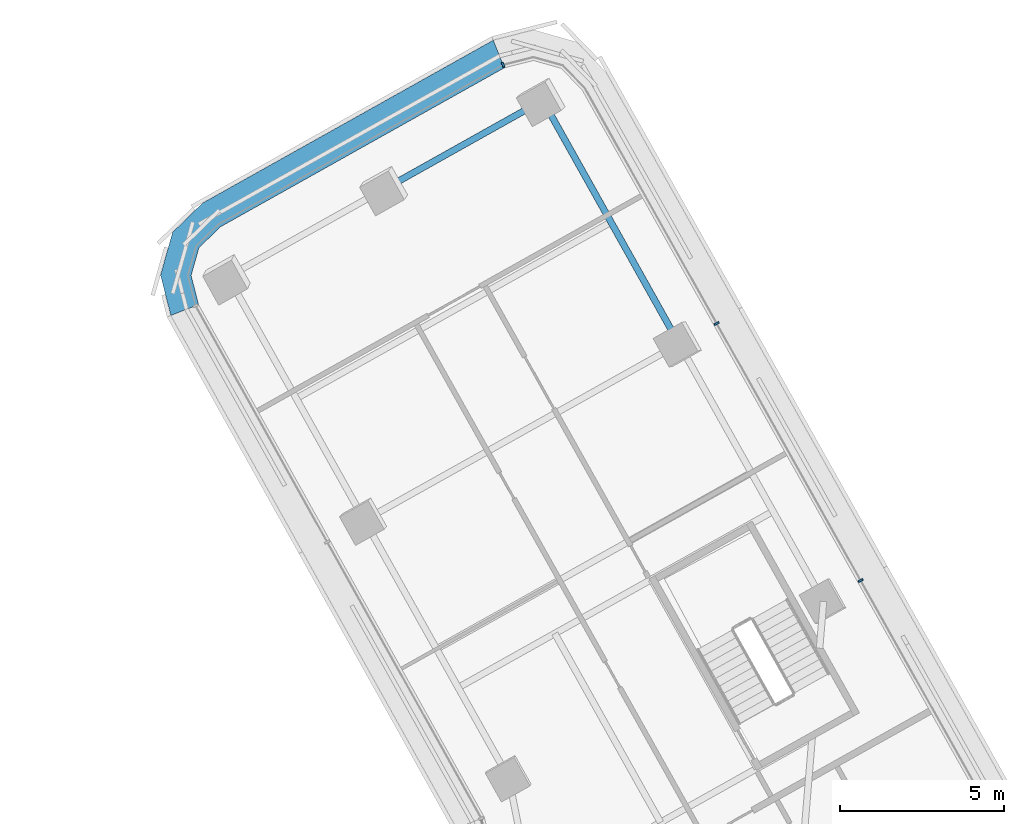
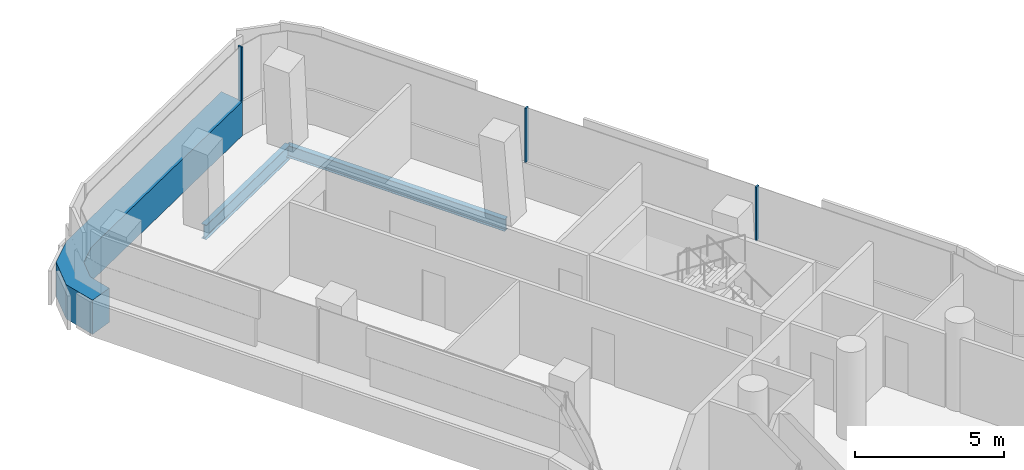
# One storey, part 17 of 34: 4 members, 2 beams, 2 elements without a shape of their own.
"""IFC4 building model written with IfcOpenShell, lengths in metres."""

import ifcopenshell
import ifcopenshell.guid

model = None  # the IFC model being written
_history = None  # IfcOwnerHistory: only IFC2X3 demands one
_inside = {}  # id of a spatial element -> (the spatial element, [elements in it])
_under = {}  # id of a project, library or spatial element -> (it, [spatial elements below it])
_declared = {}  # id of a project -> (the project, [libraries it declares])
_typed = {}  # id of a type object -> (the type object, [elements of that type])
_made_of = {}  # id of a material, layer set ... -> (it, [elements and type objects made of it])


def new_model(schema):
    """Start an empty IFC model of exactly this schema.

    Asked for "IFC4X3", IfcOpenShell would pick the latest addendum, in which some entities
    have other attributes; the version numbers below select the first issue.
    IFC2X3 requires an IfcOwnerHistory on every rooted entity: one is made here for all.
    """
    global model, _history
    if schema == "IFC4X3":
        model = ifcopenshell.file(schema_version=(4, 3, 0, 0))
    else:
        model = ifcopenshell.file(schema=schema)
    _inside.clear()
    _under.clear()
    _declared.clear()
    _typed.clear()
    _made_of.clear()
    _history = None
    if model.schema == "IFC2X3":
        org = make("IfcOrganization", Name="unknown")
        user = make(
            "IfcPersonAndOrganization",
            ThePerson=make("IfcPerson", FamilyName="unknown"),
            TheOrganization=org,
        )
        app = make(
            "IfcApplication",
            ApplicationDeveloper=org,
            Version="unknown",
            ApplicationFullName="unknown",
            ApplicationIdentifier="unknown",
        )
        _history = make(
            "IfcOwnerHistory",
            OwningUser=user,
            OwningApplication=app,
            ChangeAction="ADDED",
            CreationDate=0,
        )
    return model


def make(cls, **values):
    """One entity of the class cls with the attributes given. An attribute that is None is left unset."""
    return model.create_entity(
        cls, **{name: value for name, value in values.items() if value is not None}
    )


def rooted(cls, **values):
    """An entity with a GlobalId (a new one), such as an element, a storey or a relation."""
    return make(cls, GlobalId=ifcopenshell.guid.new(), OwnerHistory=_history, **values)


def si_unit(unit_type, name, prefix=None):
    """IfcSIUnit, for example si_unit("LENGTHUNIT", "METRE", prefix="MILLI")."""
    return make("IfcSIUnit", UnitType=unit_type, Prefix=prefix, Name=name)


def assignment(units):
    """IfcUnitAssignment: the units of a project."""
    return None if units is None else make("IfcUnitAssignment", Units=units)


def point(xyz):
    """IfcCartesianPoint."""
    return None if xyz is None else make("IfcCartesianPoint", Coordinates=xyz)


def direction(xyz):
    """IfcDirection."""
    return None if xyz is None else make("IfcDirection", DirectionRatios=xyz)


def frame(location, z_axis=None, x_axis=None):
    """IfcAxis2Placement3D, a coordinate frame: its origin and axes. An axis left out is left unset."""
    return make(
        "IfcAxis2Placement3D",
        Location=point(location),
        Axis=direction(z_axis),
        RefDirection=direction(x_axis),
    )


def frame_2d(location, x_axis=None):
    """IfcAxis2Placement2D, a coordinate frame in the plane: its origin and x axis."""
    return make(
        "IfcAxis2Placement2D", Location=point(location), RefDirection=direction(x_axis)
    )


def origin():
    """The frame at (0, 0, 0) with its axes left unset."""
    return frame((0.0, 0.0, 0.0))


def origin_2d():
    """The frame at (0, 0) in the plane with its x axis left unset."""
    return frame_2d((0.0, 0.0))


def place(relative_to, where):
    """IfcLocalPlacement: puts the frame where relative to a parent placement (None: the world)."""
    return make(
        "IfcLocalPlacement", PlacementRelTo=relative_to, RelativePlacement=where
    )


def context(
    kind, dimensions, precision=None, world=None, true_north=None, identifier=None
):
    """IfcGeometricRepresentationContext, for example the 3D "Model" context."""
    return make(
        "IfcGeometricRepresentationContext",
        ContextIdentifier=identifier,
        ContextType=kind,
        CoordinateSpaceDimension=dimensions,
        Precision=precision,
        WorldCoordinateSystem=world,
        TrueNorth=true_north,
    )


def subcontext(parent, identifier, kind, view, scale=None):
    """IfcGeometricRepresentationSubContext, for example "Body" below "Model"."""
    return make(
        "IfcGeometricRepresentationSubContext",
        ContextIdentifier=identifier,
        ContextType=kind,
        ParentContext=parent,
        TargetScale=scale,
        TargetView=view,
    )


def project(units=None, contexts=None):
    """IfcProject with its units and contexts."""
    return rooted(
        "IfcProject",
        Name="project",
        RepresentationContexts=contexts,
        UnitsInContext=assignment(units),
    )


def spatial(cls, under=None, at=None, **own):
    """A site, building, storey or space (cls), placed at a placement, below another one or the project."""
    s = rooted(cls, ObjectPlacement=at, **own)
    if under is not None:
        _under.setdefault(under.id(), (under, []))[1].append(s)
    return s


def polyline(points):
    """IfcPolyline through the points."""
    return make("IfcPolyline", Points=[point(p) for p in points])


def profile(cls, at=None, kind="AREA", **sizes):
    """A parametric profile (cls). Its sizes go by their IFC names, for example OverallWidth=200.0."""
    return make(cls, ProfileType=kind, Position=at, **sizes)


def rectangle(**sizes):
    """IfcRectangleProfileDef."""
    return profile("IfcRectangleProfileDef", **sizes)


def i_section(**sizes):
    """IfcIShapeProfileDef."""
    return profile("IfcIShapeProfileDef", **sizes)


def outline(outer, holes=None, kind="AREA"):
    """IfcArbitraryClosedProfileDef: a profile drawn as a closed curve; with holes, ...WithVoids."""
    if holes is None:
        return make("IfcArbitraryClosedProfileDef", ProfileType=kind, OuterCurve=outer)
    return make(
        "IfcArbitraryProfileDefWithVoids",
        ProfileType=kind,
        OuterCurve=outer,
        InnerCurves=holes,
    )


def extrude(swept, where, along, depth):
    """IfcExtrudedAreaSolid: the profile swept, set in the frame where, extruded along a direction by depth."""
    return make(
        "IfcExtrudedAreaSolid",
        SweptArea=swept,
        Position=where,
        ExtrudedDirection=direction(along),
        Depth=depth,
    )


def shape(context_of_items, identifier, shape_type, items):
    """IfcShapeRepresentation: the items that make up one representation, for example the "Body"."""
    return make(
        "IfcShapeRepresentation",
        ContextOfItems=context_of_items,
        RepresentationIdentifier=identifier,
        RepresentationType=shape_type,
        Items=items,
    )


def material(Name=None, Category=None):
    """IfcMaterial."""
    return make("IfcMaterial", Name=Name, Category=Category)


def layer(
    of_material, thickness, ventilated=None, Name=None, Category=None, Priority=None
):
    """IfcMaterialLayer: one layer of a wall or slab, of a material (None: an air gap)."""
    return make(
        "IfcMaterialLayer",
        Material=of_material,
        LayerThickness=thickness,
        IsVentilated=ventilated,
        Name=Name,
        Category=Category,
        Priority=Priority,
    )


def layer_set(layers, Name=None):
    """IfcMaterialLayerSet."""
    return make("IfcMaterialLayerSet", MaterialLayers=layers, LayerSetName=Name)


def material_profile(
    of_material, cross_section, Name=None, Category=None, Priority=None
):
    """IfcMaterialProfile: a cross section and its material."""
    return make(
        "IfcMaterialProfile",
        Name=Name,
        Material=of_material,
        Profile=cross_section,
        Priority=Priority,
        Category=Category,
    )


def profile_set(profiles, Name=None, composite=None):
    """IfcMaterialProfileSet."""
    return make(
        "IfcMaterialProfileSet",
        Name=Name,
        MaterialProfiles=profiles,
        CompositeProfile=composite,
    )


def made_of(thing, what):
    """Note that an element or type object is made of a material, layer set ...; save() writes the relation."""
    if what is not None:
        _made_of.setdefault(what.id(), (what, []))[1].append(thing)
    return thing


def type_object(cls, material=None, **own):
    """A type object (cls), such as IfcWallType, which elements share."""
    return made_of(rooted(cls, **own), material)


def element(
    cls,
    number,
    at=None,
    inside=None,
    cuts=None,
    type_object=None,
    material=None,
    context=None,
    identifier="Body",
    shape_type=None,
    held_by="IfcProductDefinitionShape",
    body=None,
    shapes=None,
    **own,
):
    """One element of the class cls, such as IfcWall. Its Tag is "e" and its number.

    at: its placement. inside: the storey or other place that contains it. cuts: it is an
    opening in that element (IfcRelVoidsElement). A single representation is given by context,
    identifier, shape_type and body (its items); several are given by shapes. held_by: the class
    of the entity that holds the representations. save() writes the other relations.
    """
    e = rooted(cls, Tag="e%d" % number, ObjectPlacement=at, **own)
    if body is not None:
        shapes = [shape(context, identifier, shape_type, body)]
    if shapes is not None:
        e.Representation = make(held_by, Representations=shapes)
    if inside is not None:
        _inside.setdefault(inside.id(), (inside, []))[1].append(e)
    if cuts is not None:
        rooted(
            "IfcRelVoidsElement", RelatingBuildingElement=cuts, RelatedOpeningElement=e
        )
    if type_object is not None:
        _typed.setdefault(type_object.id(), (type_object, []))[1].append(e)
    return made_of(e, material)


def aggregate(whole, parts):
    """IfcRelAggregates: a whole, such as a stair, and the parts it consists of."""
    return rooted("IfcRelAggregates", RelatingObject=whole, RelatedObjects=parts)


def save(model, path):
    """Write the relations noted so far, then the file.

    IfcRelAggregates (storeys below a building ...), IfcRelContainedInSpatialStructure (elements
    in a storey), IfcRelDefinesByType, IfcRelAssociatesMaterial and IfcRelDeclares: one each for
    every whole, place, type object, material and project.
    """
    for whole, parts in _under.values():
        aggregate(whole, parts)
    for where, things in _inside.values():
        rooted(
            "IfcRelContainedInSpatialStructure",
            RelatedElements=things,
            RelatingStructure=where,
        )
    for kind, things in _typed.values():
        rooted("IfcRelDefinesByType", RelatedObjects=things, RelatingType=kind)
    for what, things in _made_of.values():
        rooted("IfcRelAssociatesMaterial", RelatedObjects=things, RelatingMaterial=what)
    for by, libraries in _declared.values():
        rooted("IfcRelDeclares", RelatingContext=by, RelatedDefinitions=libraries)
    model.write(path)


model = new_model("IFC4")

# Units and contexts
model_context = context("Model", 3, precision=1e-05, world=origin(), true_north=direction((0.0, 1.0)))
body_context = subcontext(model_context, "Body", "Model", "MODEL_VIEW")
ifc_project = project(units=[si_unit("LENGTHUNIT", "METRE"), si_unit("AREAUNIT", "SQUARE_METRE"), si_unit("VOLUMEUNIT", "CUBIC_METRE"), si_unit("PLANEANGLEUNIT", "RADIAN"), si_unit("MASSUNIT", "GRAM", prefix="KILO")], contexts=[model_context])

# Site, building, storey
site_placement = place(None, origin())
site = spatial("IfcSite", under=ifc_project, at=site_placement, CompositionType="ELEMENT")
building_placement = place(site_placement, origin())
building = spatial("IfcBuilding", under=site, at=building_placement, Name="Tamarind Cross Interchange Tower", CompositionType="ELEMENT")
storey_placement = place(building_placement, frame((0.0, 0.0, 140.5)))
storey = spatial("IfcBuildingStorey", under=building, at=storey_placement, Name="L34", CompositionType="ELEMENT", Elevation=140.5)

# Beams
ifc_material_1 = material(Name="Steel Q355B", Category="steel")
ifc_material_profile_1 = material_profile(ifc_material_1, i_section(OverallWidth=0.198974609375, OverallDepth=0.49609375, WebThickness=0.009033203125, FlangeThickness=0.013916015625, FilletRadius=0.012939453125, at=origin_2d()), Name="HN 496x199x9x14")
ifc_profile_set_1 = profile_set([ifc_material_profile_1], Name="Steel Q355B")
beam_type_1 = type_object("IfcBeamType", Name="Composite beam HN 496x199x9x14 Q355B", PredefinedType="BEAM", material=ifc_profile_set_1)
beam_1_placement = place(storey_placement, frame((-7.815185546875, 47.20703125, -0.387939453125), z_axis=(0.488691584994, -0.872456609096, 0.0), x_axis=(0.872456609096, 0.488691584994, 0.0)))
element("IfcBeam", 1, at=beam_1_placement, inside=storey, type_object=beam_type_1, Name="Beam N-edgeem5", PredefinedType="BEAM", context=body_context, shape_type="SweptSolid", body=[
    extrude(i_section(OverallWidth=0.198974609375, OverallDepth=0.49609375, WebThickness=0.009033203125, FlangeThickness=0.013916015625, FilletRadius=0.012939453125, at=origin_2d()), origin(), (0.0, 0.0, 1.0), 8.51123046875),
])
ifc_material_profile_2 = material_profile(ifc_material_1, i_section(OverallWidth=0.199951171875, OverallDepth=0.60009765625, WebThickness=0.010986328125, FlangeThickness=0.01708984375, FilletRadius=0.012939453125, at=origin_2d()), Name="HN 600x200x11x17")
ifc_profile_set_2 = profile_set([ifc_material_profile_2], Name="Steel Q355B")
beam_type_2 = type_object("IfcBeamType", Name="Composite beam HN 600x200x11x17 Q355B", PredefinedType="BEAM", material=ifc_profile_set_2)
beam_2_placement = place(storey_placement, frame((-7.815185546875, 47.20703125, -0.43994140625), z_axis=(-0.872464381267, -0.488677709151, 0.0), x_axis=(0.488677709151, -0.872464381267, 0.0)))
element("IfcBeam", 2, at=beam_2_placement, inside=storey, type_object=beam_type_2, Name="Beam N-tip0", PredefinedType="BEAM", context=body_context, shape_type="SweptSolid", body=[
    extrude(i_section(OverallWidth=0.199951171875, OverallDepth=0.60009765625, WebThickness=0.010986328125, FlangeThickness=0.01708984375, FilletRadius=0.012939453125, at=origin_2d()), origin(), (0.0, 0.0, 1.0), 5.5),
])

# Curtain wall, member
ifc_material_2 = material(Name="Aluminium 6063-T6", Category="aluminium")
ifc_layer = layer(ifc_material_2, 0.159912109375)
ifc_layer_set = layer_set([ifc_layer], Name="Aluminium 6063-T6")
curtain_wall_type = type_object("IfcCurtainWallType", Name="Office curtain wall, 9.0 m bays", PredefinedType="NOTDEFINED", material=ifc_layer_set)
curtain_wall_1_placement = place(storey_placement, origin())
curtain_wall_1 = element("IfcCurtainWall", 3, at=curtain_wall_1_placement, inside=storey, type_object=curtain_wall_type, Name="CWS-L34-12", PredefinedType="NOTDEFINED")
ifc_material_3 = material(Name="Aluminium and insulated spandrel panel", Category="aluminium")
member_type_1 = type_object("IfcMemberType", Name="Floor-edge blade transom", PredefinedType="USERDEFINED", material=ifc_material_3)
member_1_placement = place(storey_placement, origin())
member_1 = element("IfcMember", 4, at=member_1_placement, type_object=member_type_1, Name="CWT-L34-12", ObjectType="TRANSOM", PredefinedType="USERDEFINED", context=body_context, shape_type="SweptSolid", body=[
    extrude(outline(polyline([(-8.98828125, 48.197509765625), (-17.64404296875, 43.349365234375), (-18.299560546875, 42.71044921875), (-18.536865234375, 41.868896484375), (-18.3115234375, 40.981201171875), (-19.15478515625, 40.645751953125), (-19.46875, 41.880859375), (-19.100341796875, 43.186767578125), (-18.187255859375, 44.07666015625), (-9.32470703125, 49.040771484375), (-8.98828125, 48.197509765625)])), origin(), (0.0, 0.0, 1.0), 1.39990234375),
])

# Curtain wall, members
curtain_wall_2_placement = place(storey_placement, origin())
curtain_wall_2 = element("IfcCurtainWall", 5, at=curtain_wall_2_placement, inside=storey, type_object=curtain_wall_type, Name="CWS-L34-11", PredefinedType="NOTDEFINED")
ifc_material_profile_3 = material_profile(ifc_material_2, rectangle(XDim=0.06005859375, YDim=0.159912109375, at=origin_2d()), Name="Mullion CW1")
ifc_profile_set_3 = profile_set([ifc_material_profile_3], Name="Aluminium 6063-T6")
member_type_2 = type_object("IfcMemberType", Name="Mullion CW1", PredefinedType="MULLION", material=ifc_profile_set_3)
member_2_placement = place(storey_placement, frame((1.876220703125, 32.5654296875, 1.39990234375), z_axis=(0.0, 0.0, 1.0), x_axis=(-0.488688242939, 0.872458481082, 0.0)))
member_2 = element("IfcMember", 6, at=member_2_placement, type_object=member_type_2, Name="CWM-L34-11-01", PredefinedType="MULLION", context=body_context, shape_type="SweptSolid", body=[
    extrude(rectangle(XDim=0.06005859375, YDim=0.159912109375, at=origin_2d()), origin(), (0.0, 0.0, 1.0), 2.210205078125),
])
member_3_placement = place(storey_placement, frame((-2.51513671875, 40.405029296875, 1.39990234375), z_axis=(0.0, 0.0, 1.0), x_axis=(-0.488688242939, 0.872458481082, 0.0)))
member_3 = element("IfcMember", 7, at=member_3_placement, type_object=member_type_2, Name="CWM-L34-11-02", PredefinedType="MULLION", context=body_context, shape_type="SweptSolid", body=[
    extrude(rectangle(XDim=0.06005859375, YDim=0.159912109375, at=origin_2d()), origin(), (0.0, 0.0, 1.0), 2.210205078125),
])
aggregate(curtain_wall_2, [member_2, member_3])

# Member
member_4_placement = place(storey_placement, frame((-9.025634765625, 48.291259765625, 1.39990234375), z_axis=(0.0, 0.0, 1.0), x_axis=(-0.928781093365, -0.37062876387, 0.0)))
member_4 = element("IfcMember", 8, at=member_4_placement, type_object=member_type_2, Name="CWM-L34-12-00", PredefinedType="MULLION", context=body_context, shape_type="SweptSolid", body=[
    extrude(rectangle(XDim=0.06005859375, YDim=0.159912109375, at=origin_2d()), origin(), (0.0, 0.0, 1.0), 2.210205078125),
])

aggregate(curtain_wall_1, [member_4, member_1])

save(model, "model.ifc")
